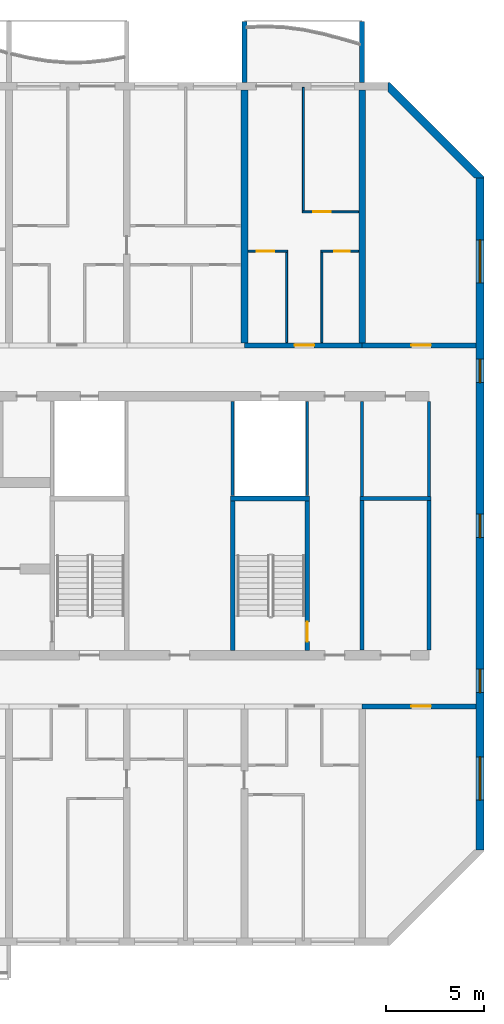
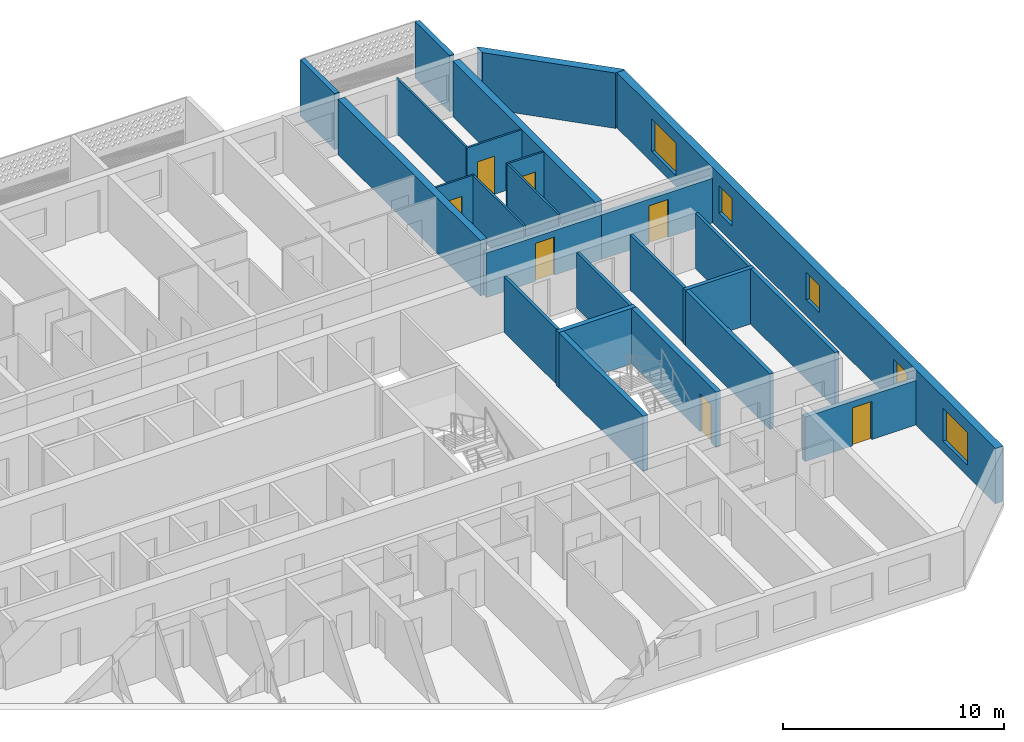
# One storey, part 13 of 24: 25 walls, 7 doors, 5 windows, 12 openings.
"""IFC4 building model written with IfcOpenShell, lengths in metres."""

from ifc_helpers import new_model, si_unit, direction, frame, frame_2d, origin, place, context, subcontext, project, spatial, polyline, rectangle, outline, extrude, source, transform, mapped, material, layer, layer_set, type_object, element, fill, save


model = new_model("IFC4")

# Units and contexts
model_context = context("Model", 3, precision=1e-05, world=origin(), true_north=direction((0.0, 1.0)))
body_context = subcontext(model_context, "Body", "Model", "MODEL_VIEW")
ifc_project = project(units=[si_unit("LENGTHUNIT", "METRE"), si_unit("AREAUNIT", "SQUARE_METRE"), si_unit("VOLUMEUNIT", "CUBIC_METRE"), si_unit("PLANEANGLEUNIT", "RADIAN"), si_unit("MASSUNIT", "GRAM", prefix="KILO")], contexts=[model_context])

# Site, building, storey
site_placement = place(None, origin())
site = spatial("IfcSite", under=ifc_project, at=site_placement, CompositionType="ELEMENT")
building_placement = place(site_placement, origin())
building = spatial("IfcBuilding", under=site, at=building_placement, Name="Poui Terraces", CompositionType="ELEMENT")
storey_placement = place(building_placement, frame((0.0, 0.0, 109.199951171875)))
storey = spatial("IfcBuildingStorey", under=building, at=storey_placement, Name="L30", CompositionType="ELEMENT", Elevation=109.199951171875)

# Walls
ifc_material_1 = material(Name="Fire-rated plasterboard wall")
ifc_layer_1 = layer(ifc_material_1, 0.14990234375)
ifc_layer_set_1 = layer_set([ifc_layer_1], Name="Fire-rated plasterboard wall")
wall_type_1 = type_object("IfcWallType", Name="CORRIDOR WALL 150", PredefinedType="PARTITIONING", material=ifc_layer_set_1)
for number, where, z_axis, x_axis, name in (
    (1, (84.0, 22.699951171875, 0.0), (0.0, 0.0, 1.0), (0.0, 1.0, 0.0), "CORRIDOR WALL 150"),
    (2, (87.39990234375, 22.699951171875, 0.0), (0.0, 0.0, 1.0), (0.0, 1.0, 0.0), "CORRIDOR WALL 150"),
):
    element("IfcWall", number, at=place(storey_placement, frame(where, z_axis=z_axis, x_axis=x_axis)), inside=storey, type_object=wall_type_1, Name=name, PredefinedType="PARTITIONING", context=body_context, shape_type="SweptSolid", body=[
        extrude(rectangle(XDim=4.840087890625, YDim=0.14990234375, at=frame_2d((2.419921875, 0.0))), origin(), (0.0, 0.0, 1.0), 3.06005859375),
    ])

# Wall, opening, door
ifc_material_2 = material(Name="Concrete 65 MPa", Category="concrete")
ifc_layer_2 = layer(ifc_material_2, 0.25)
ifc_layer_set_2 = layer_set([ifc_layer_2], Name="Concrete 65 MPa")
wall_type_2 = type_object("IfcWallType", Name="CORRIDOR WALL 250 65MPa", PredefinedType="SHEAR", material=ifc_layer_set_2)
wall_1_placement = place(storey_placement, frame((84.0, 12.0, 0.0), z_axis=(0.0, 0.0, 1.0), x_axis=(1.0, 0.0, 0.0)))
wall_1 = element("IfcWall", 3, at=wall_1_placement, inside=storey, type_object=wall_type_2, Name="CORRIDOR WALL LINE B BAY 13", PredefinedType="SHEAR", context=body_context, shape_type="SweptSolid", body=[
    extrude(rectangle(XDim=5.800048828125, YDim=0.25, at=frame_2d((2.89990234375, 0.0))), origin(), (0.0, 0.0, 1.0), 2.4599609375),
])
opening_1_placement = place(wall_1_placement, frame((2.5, 0.0, 0.0)))
opening_1 = element("IfcOpeningElement", 4, at=opening_1_placement, cuts=wall_1, Name="Opening D100", PredefinedType="OPENING", context=body_context, shape_type="SweptSolid", body=[
    extrude(rectangle(XDim=1.0, YDim=2.10009765625, at=frame_2d((0.5, 1.050048828125))), frame((0.0, 0.135009765625, 0.0), z_axis=(0.0, -1.0, 0.0), x_axis=(1.0, 0.0, 0.0)), (0.0, 0.0, 1.0), 0.27001953125),
])
ifc_material_3 = material(Name="Solid core timber door", Category="wood")
door_type_1 = type_object("IfcDoorType", Name="ACCESSIBLE INTERNAL DOOR 1000 X 2100", OperationType="NOTDEFINED", PredefinedType="DOOR", material=ifc_material_3)
door_1_placement = place(opening_1_placement, frame((1.0, 0.0, 0.0), z_axis=(0.0, 0.0, 1.0), x_axis=(-1.0, 0.0, 0.0)))
door_1 = element("IfcDoor", 5, at=door_1_placement, inside=storey, type_object=door_type_1, Name="ACCESSIBLE INTERNAL DOOR 119", OperationType="SINGLE_SWING_RIGHT", OverallHeight=2.10009765625, OverallWidth=1.0, PredefinedType="DOOR", context=body_context, shape_type="SweptSolid", body=[
    extrude(rectangle(XDim=1.0, YDim=2.10009765625, at=frame_2d((0.5, 1.050048828125))), frame((0.0, 0.02490234375, 0.0), z_axis=(0.0, -1.0, 0.0), x_axis=(1.0, 0.0, 0.0)), (0.0, 0.0, 1.0), 0.050048828125),
])
fill(opening_1, door_1)

wall_2_placement = place(storey_placement, frame((78.0, 30.39990234375, 0.0), z_axis=(0.0, 0.0, 1.0), x_axis=(1.0, 0.0, 0.0)))
wall_2 = element("IfcWall", 6, at=wall_2_placement, inside=storey, type_object=wall_type_2, Name="CORRIDOR WALL LINE E BAY 12", PredefinedType="SHEAR", context=body_context, shape_type="SweptSolid", body=[
    extrude(rectangle(XDim=6.0, YDim=0.25, at=frame_2d((3.0, 0.0))), origin(), (0.0, 0.0, 1.0), 2.4599609375),
])
opening_2_placement = place(wall_2_placement, frame((2.550048828125, 0.0, 0.0)))
opening_2 = element("IfcOpeningElement", 7, at=opening_2_placement, cuts=wall_2, Name="Opening FD30S", PredefinedType="OPENING", context=body_context, shape_type="SweptSolid", body=[
    extrude(rectangle(XDim=1.0, YDim=2.10009765625, at=frame_2d((0.5, 1.050048828125))), frame((0.0, 0.135009765625, 0.0), z_axis=(0.0, -1.0, 0.0), x_axis=(1.0, 0.0, 0.0)), (0.0, 0.0, 1.0), 0.27001953125),
])
ifc_material_4 = material(Name="Steel fire door", Category="steel")
door_type_2 = type_object("IfcDoorType", Name="FLAT ENTRANCE DOOR 1000 X 2100", OperationType="NOTDEFINED", PredefinedType="DOOR", material=ifc_material_4)
door_2_placement = place(opening_2_placement, origin())
door_2 = element("IfcDoor", 8, at=door_2_placement, inside=storey, type_object=door_type_2, Name="FLAT ENTRANCE DOOR 071", OperationType="SINGLE_SWING_RIGHT", OverallHeight=2.10009765625, OverallWidth=1.0, PredefinedType="DOOR", context=body_context, shape_type="SweptSolid", body=[
    extrude(rectangle(XDim=1.0, YDim=2.10009765625, at=frame_2d((0.5, 1.050048828125))), frame((0.0, 0.02490234375, 0.0), z_axis=(0.0, -1.0, 0.0), x_axis=(1.0, 0.0, 0.0)), (0.0, 0.0, 1.0), 0.050048828125),
])
fill(opening_2, door_2)

wall_3_placement = place(storey_placement, frame((84.0, 30.39990234375, 0.0), z_axis=(0.0, 0.0, 1.0), x_axis=(1.0, 0.0, 0.0)))
wall_3 = element("IfcWall", 9, at=wall_3_placement, inside=storey, type_object=wall_type_2, Name="CORRIDOR WALL LINE E BAY 13", PredefinedType="SHEAR", context=body_context, shape_type="SweptSolid", body=[
    extrude(rectangle(XDim=5.800048828125, YDim=0.25, at=frame_2d((2.89990234375, 0.0))), origin(), (0.0, 0.0, 1.0), 2.4599609375),
])
opening_3_placement = place(wall_3_placement, frame((2.5, 0.0, 0.0)))
opening_3 = element("IfcOpeningElement", 10, at=opening_3_placement, cuts=wall_3, Name="Opening D100", PredefinedType="OPENING", context=body_context, shape_type="SweptSolid", body=[
    extrude(rectangle(XDim=1.0, YDim=2.10009765625, at=frame_2d((0.5, 1.050048828125))), frame((0.0, 0.135009765625, 0.0), z_axis=(0.0, -1.0, 0.0), x_axis=(1.0, 0.0, 0.0)), (0.0, 0.0, 1.0), 0.27001953125),
])
door_3_placement = place(opening_3_placement, origin())
door_3 = element("IfcDoor", 11, at=door_3_placement, inside=storey, type_object=door_type_1, Name="ACCESSIBLE INTERNAL DOOR 074", OperationType="SINGLE_SWING_LEFT", OverallHeight=2.10009765625, OverallWidth=1.0, PredefinedType="DOOR", context=body_context, shape_type="SweptSolid", body=[
    extrude(rectangle(XDim=1.0, YDim=2.10009765625, at=frame_2d((0.5, 1.050048828125))), frame((0.0, 0.02490234375, 0.0), z_axis=(0.0, -1.0, 0.0), x_axis=(1.0, 0.0, 0.0)), (0.0, 0.0, 1.0), 0.050048828125),
])
fill(opening_3, door_3)

# Walls
ifc_layer_3 = layer(ifc_material_2, 0.35009765625)
ifc_layer_set_3 = layer_set([ifc_layer_3], Name="Concrete 65 MPa")
wall_type_3 = type_object("IfcWallType", Name="CROSS WALL 350 65MPa", PredefinedType="SHEAR", material=ifc_layer_set_3)
for number, where, z_axis, x_axis, name in (
    (12, (78.0, 30.52490234375, 0.0), (0.0, 0.0, 1.0), (0.0, 1.0, 0.0), "CROSS WALL LINE 14 NORTH"),
    (13, (84.0, 30.52490234375, 0.0), (0.0, 0.0, 1.0), (0.0, 1.0, 0.0), "CROSS WALL LINE 15 NORTH"),
):
    element("IfcWall", number, at=place(storey_placement, frame(where, z_axis=z_axis, x_axis=x_axis)), inside=storey, type_object=wall_type_3, Name=name, PredefinedType="SHEAR", context=body_context, shape_type="SweptSolid", body=[
        extrude(rectangle(XDim=12.875, YDim=0.35009765625, at=frame_2d((6.4375, 0.0))), origin(), (0.0, 0.0, 1.0), 3.06005859375),
    ])

# Wall, openings, windows
ifc_layer_4 = layer(ifc_material_2, 0.39990234375)
ifc_layer_set_4 = layer_set([ifc_layer_4], Name="Concrete 65 MPa")
wall_type_4 = type_object("IfcWallType", Name="END WALL 400 65MPa", PredefinedType="SHEAR", material=ifc_layer_set_4)
wall_4_placement = place(storey_placement, frame((90.0, 4.682861328125, 0.0), z_axis=(0.0, 0.0, 1.0), x_axis=(0.0, 1.0, 0.0)))
wall_4 = element("IfcWall", 14, at=wall_4_placement, inside=storey, type_object=wall_type_4, Name="END WALL EAST", PredefinedType="SHEAR", context=body_context, shape_type="SweptSolid", body=[
    extrude(rectangle(XDim=34.234375, YDim=0.39990234375, at=frame_2d((17.1171875, 0.0))), origin(), (0.0, 0.0, 1.0), 3.06005859375),
])
opening_4_placement = place(wall_4_placement, frame((15.917236328125, 0.0, 0.89990234375)))
opening_4 = element("IfcOpeningElement", 15, at=opening_4_placement, cuts=wall_4, Name="Opening W2", PredefinedType="OPENING", context=body_context, shape_type="SweptSolid", body=[
    extrude(rectangle(XDim=1.199951171875, YDim=1.5, at=frame_2d((0.60009765625, 0.75))), frame((0.0, 0.2099609375, 0.0), z_axis=(0.0, -1.0, 0.0), x_axis=(1.0, 0.0, 0.0)), (0.0, 0.0, 1.0), 0.419921875),
])
opening_5_placement = place(wall_4_placement, frame((23.817138671875, 0.0, 0.89990234375)))
opening_5 = element("IfcOpeningElement", 16, at=opening_5_placement, cuts=wall_4, Name="Opening W2", PredefinedType="OPENING", context=body_context, shape_type="SweptSolid", body=[
    extrude(rectangle(XDim=1.199951171875, YDim=1.5, at=frame_2d((0.60009765625, 0.75))), frame((0.0, 0.2099609375, 0.0), z_axis=(0.0, -1.0, 0.0), x_axis=(1.0, 0.0, 0.0)), (0.0, 0.0, 1.0), 0.419921875),
])
opening_6_placement = place(wall_4_placement, frame((8.01708984375, 0.0, 0.89990234375)))
opening_6 = element("IfcOpeningElement", 17, at=opening_6_placement, cuts=wall_4, Name="Opening W2", PredefinedType="OPENING", context=body_context, shape_type="SweptSolid", body=[
    extrude(rectangle(XDim=1.199951171875, YDim=1.5, at=frame_2d((0.60009765625, 0.75))), frame((0.0, 0.2099609375, 0.0), z_axis=(0.0, -1.0, 0.0), x_axis=(1.0, 0.0, 0.0)), (0.0, 0.0, 1.0), 0.419921875),
])
opening_7_placement = place(wall_4_placement, frame((28.8935546875, 0.0, 0.60009765625)))
opening_7 = element("IfcOpeningElement", 18, at=opening_7_placement, cuts=wall_4, Name="Opening W3", PredefinedType="OPENING", context=body_context, shape_type="SweptSolid", body=[
    extrude(rectangle(XDim=2.199951171875, YDim=1.800048828125, at=frame_2d((1.10009765625, 0.89990234375))), frame((0.0, 0.2099609375, 0.0), z_axis=(0.0, -1.0, 0.0), x_axis=(1.0, 0.0, 0.0)), (0.0, 0.0, 1.0), 0.419921875),
])
opening_8_placement = place(wall_4_placement, frame((2.541015625, 0.0, 0.60009765625)))
opening_8 = element("IfcOpeningElement", 19, at=opening_8_placement, cuts=wall_4, Name="Opening W3", PredefinedType="OPENING", context=body_context, shape_type="SweptSolid", body=[
    extrude(rectangle(XDim=2.199951171875, YDim=1.800048828125, at=frame_2d((1.10009765625, 0.89990234375))), frame((0.0, 0.2099609375, 0.0), z_axis=(0.0, -1.0, 0.0), x_axis=(1.0, 0.0, 0.0)), (0.0, 0.0, 1.0), 0.419921875),
])
ifc_material_5 = material(Name="Clear glass in aluminium frame", Category="aluminium")
window_type_1 = type_object("IfcWindowType", Name="WINDOW 1200X1500", PartitioningType="SINGLE_PANEL", PredefinedType="WINDOW", material=ifc_material_5)
window_1_placement = place(opening_4_placement, origin())
window_1 = element("IfcWindow", 20, at=window_1_placement, inside=storey, type_object=window_type_1, Name="W2 WINDOW", OverallHeight=1.5, OverallWidth=1.199951171875, PartitioningType="SINGLE_PANEL", PredefinedType="WINDOW", context=body_context, shape_type="SweptSolid", body=[
    extrude(rectangle(XDim=1.199951171875, YDim=1.5, at=frame_2d((0.60009765625, 0.75))), frame((0.0, 0.030029296875, 0.0), z_axis=(0.0, -1.0, 0.0), x_axis=(1.0, 0.0, 0.0)), (0.0, 0.0, 1.0), 0.06005859375),
])
fill(opening_4, window_1)
window_2_placement = place(opening_5_placement, origin())
window_2 = element("IfcWindow", 21, at=window_2_placement, inside=storey, type_object=window_type_1, Name="W2 WINDOW", OverallHeight=1.5, OverallWidth=1.199951171875, PartitioningType="SINGLE_PANEL", PredefinedType="WINDOW", context=body_context, shape_type="SweptSolid", body=[
    extrude(rectangle(XDim=1.199951171875, YDim=1.5, at=frame_2d((0.60009765625, 0.75))), frame((0.0, 0.030029296875, 0.0), z_axis=(0.0, -1.0, 0.0), x_axis=(1.0, 0.0, 0.0)), (0.0, 0.0, 1.0), 0.06005859375),
])
fill(opening_5, window_2)
window_3_placement = place(opening_6_placement, origin())
window_3 = element("IfcWindow", 22, at=window_3_placement, inside=storey, type_object=window_type_1, Name="W2 WINDOW", OverallHeight=1.5, OverallWidth=1.199951171875, PartitioningType="SINGLE_PANEL", PredefinedType="WINDOW", context=body_context, shape_type="SweptSolid", body=[
    extrude(rectangle(XDim=1.199951171875, YDim=1.5, at=frame_2d((0.60009765625, 0.75))), frame((0.0, 0.030029296875, 0.0), z_axis=(0.0, -1.0, 0.0), x_axis=(1.0, 0.0, 0.0)), (0.0, 0.0, 1.0), 0.06005859375),
])
fill(opening_6, window_3)
window_type_2 = type_object("IfcWindowType", Name="WINDOW 2200X1800", PartitioningType="DOUBLE_PANEL_HORIZONTAL", PredefinedType="WINDOW", material=ifc_material_5)
window_4_placement = place(opening_7_placement, origin())
window_4 = element("IfcWindow", 23, at=window_4_placement, inside=storey, type_object=window_type_2, Name="W3 WINDOW", OverallHeight=1.800048828125, OverallWidth=2.199951171875, PartitioningType="DOUBLE_PANEL_HORIZONTAL", PredefinedType="WINDOW", context=body_context, shape_type="SweptSolid", body=[
    extrude(rectangle(XDim=2.199951171875, YDim=1.800048828125, at=frame_2d((1.10009765625, 0.89990234375))), frame((0.0, 0.030029296875, 0.0), z_axis=(0.0, -1.0, 0.0), x_axis=(1.0, 0.0, 0.0)), (0.0, 0.0, 1.0), 0.06005859375),
])
fill(opening_7, window_4)
window_5_placement = place(opening_8_placement, origin())
window_5 = element("IfcWindow", 24, at=window_5_placement, inside=storey, type_object=window_type_2, Name="W3 WINDOW", OverallHeight=1.800048828125, OverallWidth=2.199951171875, PartitioningType="DOUBLE_PANEL_HORIZONTAL", PredefinedType="WINDOW", context=body_context, shape_type="SweptSolid", body=[
    extrude(rectangle(XDim=2.199951171875, YDim=1.800048828125, at=frame_2d((1.10009765625, 0.89990234375))), frame((0.0, 0.030029296875, 0.0), z_axis=(0.0, -1.0, 0.0), x_axis=(1.0, 0.0, 0.0)), (0.0, 0.0, 1.0), 0.06005859375),
])
fill(opening_8, window_5)

# Wall, opening, door
ifc_material_6 = material(Name="Plasterboard partition")
ifc_layer_5 = layer(ifc_material_6, 0.10009765625)
ifc_layer_set_5 = layer_set([ifc_layer_5], Name="Plasterboard partition")
wall_type_5 = type_object("IfcWallType", Name="FLAT PARTITION 100", PredefinedType="PARTITIONING", material=ifc_layer_set_5)
wall_5_placement = place(storey_placement, frame((78.18505859375, 35.199951171875, 0.0), z_axis=(0.0, 0.0, 1.0), x_axis=(1.0, 0.0, 0.0)))
wall_5 = element("IfcWall", 25, at=wall_5_placement, inside=storey, type_object=wall_type_5, Name="FLAT PARTITION 100", PredefinedType="PARTITIONING", context=body_context, shape_type="SweptSolid", body=[
    extrude(rectangle(XDim=2.014892578125, YDim=0.10009765625, at=frame_2d((1.00732421875, 0.0))), origin(), (0.0, 0.0, 1.0), 3.06005859375),
])
opening_9_placement = place(wall_5_placement, frame((0.43994140625, 0.0, 0.0)))
opening_9 = element("IfcOpeningElement", 26, at=opening_9_placement, cuts=wall_5, Name="Opening D90", PredefinedType="OPENING", context=body_context, shape_type="SweptSolid", body=[
    extrude(rectangle(XDim=0.89990234375, YDim=2.10009765625, at=frame_2d((0.449951171875, 1.050048828125))), frame((0.0, 0.06005859375, 0.0), z_axis=(0.0, -1.0, 0.0), x_axis=(1.0, 0.0, 0.0)), (0.0, 0.0, 1.0), 0.1201171875),
])
door_type_3 = type_object("IfcDoorType", Name="INTERNAL DOOR 900 X 2100", OperationType="NOTDEFINED", PredefinedType="DOOR", material=ifc_material_3)
door_4_placement = place(opening_9_placement, frame((0.89990234375, 0.0, 0.0), z_axis=(0.0, 0.0, 1.0), x_axis=(-1.0, 0.0, 0.0)))
door_4 = element("IfcDoor", 27, at=door_4_placement, inside=storey, type_object=door_type_3, Name="INTERNAL DOOR 070", OperationType="SINGLE_SWING_LEFT", OverallHeight=2.10009765625, OverallWidth=0.89990234375, PredefinedType="DOOR", context=body_context, shape_type="SweptSolid", body=[
    extrude(rectangle(XDim=0.89990234375, YDim=2.10009765625, at=frame_2d((0.449951171875, 1.050048828125))), frame((0.0, 0.02490234375, 0.0), z_axis=(0.0, -1.0, 0.0), x_axis=(1.0, 0.0, 0.0)), (0.0, 0.0, 1.0), 0.050048828125),
])
fill(opening_9, door_4)

wall_6_placement = place(storey_placement, frame((81.89990234375, 35.199951171875, 0.0), z_axis=(0.0, 0.0, 1.0), x_axis=(1.0, 0.0, 0.0)))
wall_6 = element("IfcWall", 28, at=wall_6_placement, inside=storey, type_object=wall_type_5, Name="FLAT PARTITION 100", PredefinedType="PARTITIONING", context=body_context, shape_type="SweptSolid", body=[
    extrude(rectangle(XDim=1.9150390625, YDim=0.10009765625, at=frame_2d((0.95751953125, 0.0))), origin(), (0.0, 0.0, 1.0), 3.06005859375),
])
opening_10_placement = place(wall_6_placement, frame((0.675048828125, 0.0, 0.0)))
opening_10 = element("IfcOpeningElement", 29, at=opening_10_placement, cuts=wall_6, Name="Opening D80", PredefinedType="OPENING", context=body_context, shape_type="SweptSolid", body=[
    extrude(rectangle(XDim=0.800048828125, YDim=2.10009765625, at=frame_2d((0.39990234375, 1.050048828125))), frame((0.0, 0.06005859375, 0.0), z_axis=(0.0, -1.0, 0.0), x_axis=(1.0, 0.0, 0.0)), (0.0, 0.0, 1.0), 0.1201171875),
])
door_type_4 = type_object("IfcDoorType", Name="BATHROOM, LAUNDRY AND STORE DOOR 800 X 2100", OperationType="NOTDEFINED", PredefinedType="DOOR", material=ifc_material_3)
door_5_placement = place(opening_10_placement, frame((0.800048828125, 0.0, 0.0), z_axis=(0.0, 0.0, 1.0), x_axis=(-1.0, 0.0, 0.0)))
door_5 = element("IfcDoor", 30, at=door_5_placement, inside=storey, type_object=door_type_4, Name="BATHROOM, LAUNDRY AND STORE DOOR 073", OperationType="SINGLE_SWING_RIGHT", OverallHeight=2.10009765625, OverallWidth=0.800048828125, PredefinedType="DOOR", context=body_context, shape_type="SweptSolid", body=[
    extrude(rectangle(XDim=0.800048828125, YDim=2.10009765625, at=frame_2d((0.39990234375, 1.050048828125))), frame((0.0, 0.02490234375, 0.0), z_axis=(0.0, -1.0, 0.0), x_axis=(1.0, 0.0, 0.0)), (0.0, 0.0, 1.0), 0.050048828125),
])
fill(opening_10, door_5)

wall_7_placement = place(storey_placement, frame((80.949951171875, 37.199951171875, 0.0), z_axis=(0.0, 0.0, 1.0), x_axis=(1.0, 0.0, 0.0)))
wall_7 = element("IfcWall", 31, at=wall_7_placement, inside=storey, type_object=wall_type_5, Name="FLAT PARTITION 100", PredefinedType="PARTITIONING", context=body_context, shape_type="SweptSolid", body=[
    extrude(rectangle(XDim=2.864990234375, YDim=0.10009765625, at=frame_2d((1.4326171875, 0.0))), origin(), (0.0, 0.0, 1.0), 3.06005859375),
])
opening_11_placement = place(wall_7_placement, frame((0.550048828125, 0.0, 0.0)))
opening_11 = element("IfcOpeningElement", 32, at=opening_11_placement, cuts=wall_7, Name="Opening D90", PredefinedType="OPENING", context=body_context, shape_type="SweptSolid", body=[
    extrude(rectangle(XDim=0.89990234375, YDim=2.10009765625, at=frame_2d((0.449951171875, 1.050048828125))), frame((0.0, 0.06005859375, 0.0), z_axis=(0.0, -1.0, 0.0), x_axis=(1.0, 0.0, 0.0)), (0.0, 0.0, 1.0), 0.1201171875),
])
door_6_placement = place(opening_11_placement, frame((0.89990234375, 0.0, 0.0), z_axis=(0.0, 0.0, 1.0), x_axis=(-1.0, 0.0, 0.0)))
door_6 = element("IfcDoor", 33, at=door_6_placement, inside=storey, type_object=door_type_3, Name="INTERNAL DOOR 072", OperationType="SINGLE_SWING_LEFT", OverallHeight=2.10009765625, OverallWidth=0.89990234375, PredefinedType="DOOR", context=body_context, shape_type="SweptSolid", body=[
    extrude(rectangle(XDim=0.89990234375, YDim=2.10009765625, at=frame_2d((0.449951171875, 1.050048828125))), frame((0.0, 0.02490234375, 0.0), z_axis=(0.0, -1.0, 0.0), x_axis=(1.0, 0.0, 0.0)), (0.0, 0.0, 1.0), 0.050048828125),
])
fill(opening_11, door_6)

# Walls
wall_8_placement = place(storey_placement, frame((80.14990234375, 30.534912109375, 0.0), z_axis=(0.0, 0.0, 1.0), x_axis=(0.0, 1.0, 0.0)))
element("IfcWall", 34, at=wall_8_placement, inside=storey, type_object=wall_type_5, Name="FLAT PARTITION 100", PredefinedType="PARTITIONING", context=body_context, shape_type="SweptSolid", body=[
    extrude(rectangle(XDim=4.614990234375, YDim=0.10009765625, at=frame_2d((2.3076171875, 0.0))), origin(), (0.0, 0.0, 1.0), 3.06005859375),
])
wall_9_placement = place(storey_placement, frame((81.0, 37.25, 0.0), z_axis=(0.0, 0.0, 1.0), x_axis=(0.0, 1.0, 0.0)))
element("IfcWall", 35, at=wall_9_placement, inside=storey, type_object=wall_type_5, Name="FLAT PARTITION 100", PredefinedType="PARTITIONING", context=body_context, shape_type="SweptSolid", body=[
    extrude(rectangle(XDim=6.2900390625, YDim=0.10009765625, at=frame_2d((3.14501953125, 0.0))), origin(), (0.0, 0.0, 1.0), 3.06005859375),
])
wall_10_placement = place(storey_placement, frame((81.949951171875, 30.534912109375, 0.0), z_axis=(0.0, 0.0, 1.0), x_axis=(0.0, 1.0, 0.0)))
element("IfcWall", 36, at=wall_10_placement, inside=storey, type_object=wall_type_5, Name="FLAT PARTITION 100", PredefinedType="PARTITIONING", context=body_context, shape_type="SweptSolid", body=[
    extrude(rectangle(XDim=4.614990234375, YDim=0.10009765625, at=frame_2d((2.3076171875, 0.0))), origin(), (0.0, 0.0, 1.0), 3.06005859375),
])
ifc_material_7 = material(Name="Fire-rated masonry wall", Category="masonry")
ifc_layer_6 = layer(ifc_material_7, 0.199951171875)
ifc_layer_set_6 = layer_set([ifc_layer_6], Name="Fire-rated masonry wall")
wall_type_6 = type_object("IfcWallType", Name="PLANT ROOM WALL 200", PredefinedType="PARTITIONING", material=ifc_layer_set_6)
wall_11_placement = place(storey_placement, frame((83.89990234375, 22.60009765625, 0.0), z_axis=(0.0, 0.0, 1.0), x_axis=(1.0, 0.0, 0.0)))
element("IfcWall", 37, at=wall_11_placement, inside=storey, type_object=wall_type_6, Name="PLANT ROOM WALL 200", PredefinedType="PARTITIONING", context=body_context, shape_type="SweptSolid", body=[
    extrude(rectangle(XDim=3.60009765625, YDim=0.199951171875, at=frame_2d((1.800048828125, 0.0))), origin(), (0.0, 0.0, 1.0), 3.06005859375),
])
for number, where, z_axis, x_axis, name in (
    (38, (84.0, 14.860107421875, 0.0), (0.0, 0.0, 1.0), (0.0, 1.0, 0.0), "PLANT ROOM WALL 200"),
    (39, (87.39990234375, 14.860107421875, 0.0), (0.0, 0.0, 1.0), (0.0, 1.0, 0.0), "PLANT ROOM WALL 200"),
):
    element("IfcWall", number, at=place(storey_placement, frame(where, z_axis=z_axis, x_axis=x_axis)), inside=storey, type_object=wall_type_6, Name=name, PredefinedType="PARTITIONING", context=body_context, shape_type="SweptSolid", body=[
        extrude(rectangle(XDim=7.639892578125, YDim=0.199951171875, at=frame_2d((3.81982421875, 0.0))), origin(), (0.0, 0.0, 1.0), 3.06005859375),
    ])
ifc_material_8 = material(Name="Fire-rated plasterboard riser wall")
ifc_layer_7 = layer(ifc_material_8, 0.14990234375)
ifc_layer_set_7 = layer_set([ifc_layer_7], Name="Fire-rated plasterboard riser wall")
wall_type_7 = type_object("IfcWallType", Name="RISER WALL 150", PredefinedType="PARTITIONING", material=ifc_layer_set_7)
for number, where, z_axis, x_axis, name in (
    (40, (77.39990234375, 22.735107421875, 0.0), (0.0, 0.0, 1.0), (0.0, 1.0, 0.0), "RISER WALL 150"),
    (41, (81.199951171875, 22.735107421875, 0.0), (0.0, 0.0, 1.0), (0.0, 1.0, 0.0), "RISER WALL 150"),
):
    element("IfcWall", number, at=place(storey_placement, frame(where, z_axis=z_axis, x_axis=x_axis)), inside=storey, type_object=wall_type_7, Name=name, PredefinedType="PARTITIONING", context=body_context, shape_type="SweptSolid", body=[
        extrude(rectangle(XDim=4.804931640625, YDim=0.14990234375, at=frame_2d((2.40234375, 0.0))), origin(), (0.0, 0.0, 1.0), 3.06005859375),
    ])
ifc_layer_8 = layer(ifc_material_2, 0.25)
ifc_layer_set_8 = layer_set([ifc_layer_8], Name="Concrete 65 MPa")
wall_type_8 = type_object("IfcWallType", Name="STAIR CORE WALL 250 65 MPA", PredefinedType="SOLIDWALL", material=ifc_layer_set_8)
wall_12_placement = place(storey_placement, frame((77.39990234375, 14.85009765625, 0.0), z_axis=(0.0, 0.0, 1.0), x_axis=(0.0, 1.0, 0.0)))
element("IfcWall", 42, at=wall_12_placement, inside=storey, type_object=wall_type_8, Name="STAIR CORE WALL", PredefinedType="SOLIDWALL", context=body_context, shape_type="SweptSolid", body=[
    extrude(rectangle(XDim=7.625, YDim=0.25, at=frame_2d((3.8125, 0.0))), origin(), (0.0, 0.0, 1.0), 3.06005859375),
])

# Wall, opening, door
wall_13_placement = place(storey_placement, frame((81.199951171875, 14.85009765625, 0.0), z_axis=(0.0, 0.0, 1.0), x_axis=(0.0, 1.0, 0.0)))
wall_13 = element("IfcWall", 43, at=wall_13_placement, inside=storey, type_object=wall_type_8, Name="STAIR CORE WALL", PredefinedType="SOLIDWALL", context=body_context, shape_type="SweptSolid", body=[
    extrude(rectangle(XDim=7.625, YDim=0.25, at=frame_2d((3.8125, 0.0))), origin(), (0.0, 0.0, 1.0), 3.06005859375),
])
opening_12_placement = place(wall_13_placement, frame((0.449951171875, 0.0, 0.0)))
opening_12 = element("IfcOpeningElement", 44, at=opening_12_placement, cuts=wall_13, Name="Opening FD60S", PredefinedType="OPENING", context=body_context, shape_type="SweptSolid", body=[
    extrude(rectangle(XDim=1.0, YDim=2.10009765625, at=frame_2d((0.5, 1.050048828125))), frame((0.0, 0.135009765625, 0.0), z_axis=(0.0, -1.0, 0.0), x_axis=(1.0, 0.0, 0.0)), (0.0, 0.0, 1.0), 0.27001953125),
])
door_type_5 = type_object("IfcDoorType", Name="STAIR DOOR 1000 X 2100", OperationType="NOTDEFINED", PredefinedType="DOOR", material=ifc_material_4)
door_7_placement = place(opening_12_placement, origin())
door_7 = element("IfcDoor", 45, at=door_7_placement, inside=storey, type_object=door_type_5, Name="STAIR DOOR 135", OperationType="SINGLE_SWING_LEFT", OverallHeight=2.10009765625, OverallWidth=1.0, PredefinedType="DOOR", context=body_context, shape_type="SweptSolid", body=[
    extrude(rectangle(XDim=1.0, YDim=2.10009765625, at=frame_2d((0.5, 1.050048828125))), frame((0.0, 0.02490234375, 0.0), z_axis=(0.0, -1.0, 0.0), x_axis=(1.0, 0.0, 0.0)), (0.0, 0.0, 1.0), 0.050048828125),
])
fill(opening_12, door_7)

# Walls
wall_14_placement = place(storey_placement, frame((77.27490234375, 22.60009765625, 0.0), z_axis=(0.0, 0.0, 1.0), x_axis=(1.0, 0.0, 0.0)))
element("IfcWall", 46, at=wall_14_placement, inside=storey, type_object=wall_type_8, Name="STAIR CORE WALL", PredefinedType="SOLIDWALL", context=body_context, shape_type="SweptSolid", body=[
    extrude(rectangle(XDim=4.050048828125, YDim=0.25, at=frame_2d((2.02490234375, 0.0))), origin(), (0.0, 0.0, 1.0), 3.06005859375),
])
ifc_material_9 = material(Name="Precast concrete 40 MPa", Category="concrete")
ifc_layer_9 = layer(ifc_material_9, 0.39990234375)
ifc_layer_set_9 = layer_set([ifc_layer_9], Name="Precast concrete 40 MPa")
wall_type_9 = type_object("IfcWallType", Name="TERRACOTTA CLAD CHAMFER WALL 400", PredefinedType="STANDARD", material=ifc_layer_set_9)
wall_15_placement = place(storey_placement, origin())
element("IfcWall", 47, at=wall_15_placement, inside=storey, type_object=wall_type_9, Name="CHAMFER WALL CH03", PredefinedType="STANDARD", context=body_context, shape_type="SweptSolid", body=[
    extrude(outline(polyline([(90.199951171875, 38.917236328125), (90.199951171875, 39.0), (85.39990234375, 43.800048828125), (85.317138671875, 43.800048828125), (85.317138671875, 43.317138671875), (89.71728515625, 38.917236328125), (90.199951171875, 38.917236328125)])), origin(), (0.0, 0.0, 1.0), 3.06005859375),
])
ifc_layer_10 = layer(ifc_material_9, 0.25)
ifc_layer_set_10 = layer_set([ifc_layer_10], Name="Precast concrete 40 MPa")
wall_type_10 = type_object("IfcWallType", Name="BALCONY FIN 250", PredefinedType="STANDARD", material=ifc_layer_set_10)
shared_shape = source(origin(), body_context, "Body", "SweptSolid", [
    extrude(outline(polyline([(0.0, 0.0), (0.25, 0.0), (0.25, 3.099853515625), (0.0, 3.099853515625), (0.0, 0.0)])), origin(), (0.0, 0.0, 1.0), 3.10009765625),
])
for number, where, name in (
    (48, (77.875, 43.800048828125, 0.0), "BALCONY FIN"),
    (49, (83.875, 43.800048828125, 0.0), "BALCONY FIN"),
):
    element("IfcWall", number, at=place(storey_placement, frame(where)), inside=storey, type_object=wall_type_10, Name=name, PredefinedType="STANDARD", context=body_context, shape_type="MappedRepresentation", body=[
        mapped(shared_shape, transform((0.0, 0.0, 0.0))),
    ])

save(model, "model.ifc")
